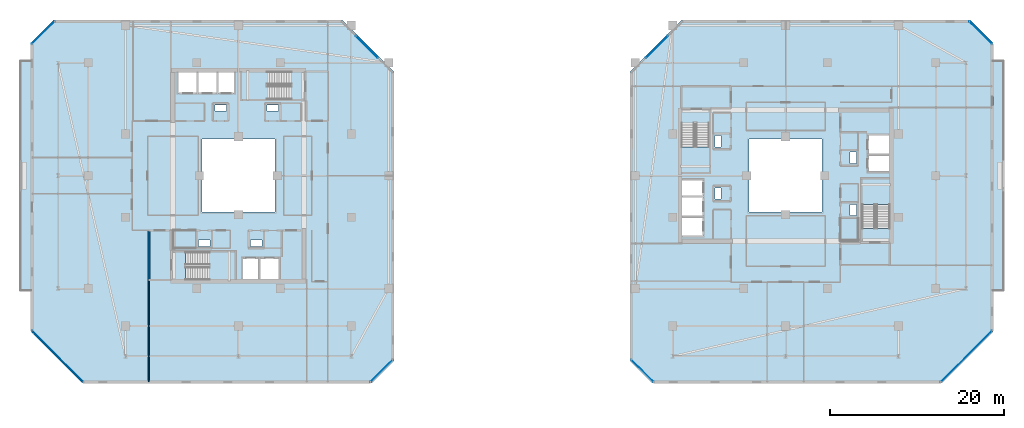
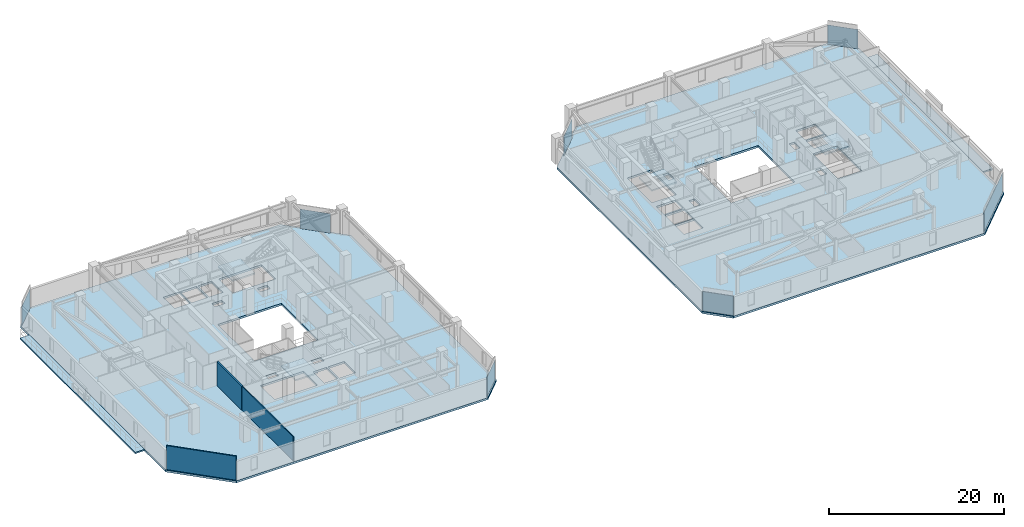
# One storey, part 17 of 31: 8 plates, 8 slabs, 3 walls, 12 elements without a shape of their own.
"""IFC4 building model written with IfcOpenShell, lengths in metres."""

from ifc_helpers import new_model, si_unit, direction, frame, frame_2d, origin, origin_2d, place, context, subcontext, project, spatial, polyline, rectangle, outline, extrude, material, layer, layer_set, type_object, element, aggregate, save


model = new_model("IFC4")

# Units and contexts
model_context = context("Model", 3, precision=1e-05, world=origin(), true_north=direction((0.0, 1.0)))
body_context = subcontext(model_context, "Body", "Model", "MODEL_VIEW")
ifc_project = project(units=[si_unit("LENGTHUNIT", "METRE"), si_unit("AREAUNIT", "SQUARE_METRE"), si_unit("VOLUMEUNIT", "CUBIC_METRE"), si_unit("PLANEANGLEUNIT", "RADIAN"), si_unit("MASSUNIT", "GRAM", prefix="KILO")], contexts=[model_context])

# Site, building, storey
site_placement = place(None, origin())
site = spatial("IfcSite", under=ifc_project, at=site_placement, CompositionType="ELEMENT")
building_placement = place(site_placement, origin())
building = spatial("IfcBuilding", under=site, at=building_placement, Name="Thornwick Lancets Civic Towers", CompositionType="ELEMENT")
storey_placement = place(building_placement, frame((0.0, 0.0, 233.10009765625)))
storey = spatial("IfcBuildingStorey", under=building, at=storey_placement, Name="L62", CompositionType="ELEMENT", Elevation=233.10009765625)

# Curtain wall, plate
ifc_material_1 = material(Name="High-zone chamfered-corner unitised glass curtain wall", Category="glass")
curtain_wall_type = type_object("IfcCurtainWallType", Name="CW_SYS_05", PredefinedType="NOTDEFINED", material=ifc_material_1)
curtain_wall_1_placement = place(storey_placement, origin())
curtain_wall_1 = element("IfcCurtainWall", 1, at=curtain_wall_1_placement, inside=storey, type_object=curtain_wall_type, Name="L62 Curtain Wall CW-L62-A-E1", PredefinedType="NOTDEFINED")
ifc_material_2 = material(Name="Low-e double glazing clear glass", Category="glass")
ifc_layer_1 = layer(ifc_material_2, 0.035888671875, Name="Low-e double glazing clear glass")
ifc_layer_set_1 = layer_set([ifc_layer_1], Name="Low-e double glazing clear glass")
plate_type = type_object("IfcPlateType", Name="CW_PNL_GLASS", PredefinedType="CURTAIN_PANEL", material=ifc_layer_set_1)
plate_1_placement = place(storey_placement, frame((41.972900390625, 4.527099609375, 0.0), z_axis=(0.0, 0.0, 1.0), x_axis=(0.707106781187, 0.707106781187, 0.0)))
plate_1 = element("IfcPlate", 2, at=plate_1_placement, type_object=plate_type, Name="CW-L62-A-E1 Panel 0", PredefinedType="CURTAIN_PANEL", context=body_context, shape_type="SweptSolid", body=[
    extrude(rectangle(XDim=3.649169921875, YDim=0.035888671875, at=origin_2d()), origin(), (0.0, 0.0, 1.0), 2.699951171875),
])
aggregate(curtain_wall_1, [plate_1])

curtain_wall_2_placement = place(storey_placement, origin())
curtain_wall_2 = element("IfcCurtainWall", 3, at=curtain_wall_2_placement, inside=storey, type_object=curtain_wall_type, Name="L62 Curtain Wall CW-L62-A-E3", PredefinedType="NOTDEFINED")
plate_2_placement = place(storey_placement, frame((40.31298828125, 41.81298828125, 0.0), z_axis=(0.0, 0.0, 1.0), x_axis=(-0.707106781187, 0.707106781187, 0.0)))
plate_2 = element("IfcPlate", 4, at=plate_2_placement, type_object=plate_type, Name="CW-L62-A-E3 Panel 0", PredefinedType="CURTAIN_PANEL", context=body_context, shape_type="SweptSolid", body=[
    extrude(rectangle(XDim=3.5771484375, YDim=0.035888671875, at=origin_2d()), origin(), (0.0, 0.0, 1.0), 2.699951171875),
])
aggregate(curtain_wall_2, [plate_2])

curtain_wall_3_placement = place(storey_placement, origin())
curtain_wall_3 = element("IfcCurtainWall", 5, at=curtain_wall_3_placement, inside=storey, type_object=curtain_wall_type, Name="L62 Curtain Wall CW-L62-A-E5", PredefinedType="NOTDEFINED")
plate_3_placement = place(storey_placement, frame((3.027099609375, 43.472900390625, 0.0), z_axis=(0.0, 0.0, 1.0), x_axis=(-0.707106781187, -0.707106781187, 0.0)))
plate_3 = element("IfcPlate", 6, at=plate_3_placement, type_object=plate_type, Name="CW-L62-A-E5 Panel 0", PredefinedType="CURTAIN_PANEL", context=body_context, shape_type="SweptSolid", body=[
    extrude(rectangle(XDim=3.649169921875, YDim=0.035888671875, at=origin_2d()), origin(), (0.0, 0.0, 1.0), 2.699951171875),
])
aggregate(curtain_wall_3, [plate_3])

curtain_wall_4_placement = place(storey_placement, origin())
curtain_wall_4 = element("IfcCurtainWall", 7, at=curtain_wall_4_placement, inside=storey, type_object=curtain_wall_type, Name="L62 Curtain Wall CW-L62-A-E7", PredefinedType="NOTDEFINED")
plate_4_placement = place(storey_placement, frame((4.68701171875, 6.18701171875, 0.0), z_axis=(0.0, 0.0, 1.0), x_axis=(0.707106781187, -0.707106781187, 0.0)))
plate_4 = element("IfcPlate", 8, at=plate_4_placement, type_object=plate_type, Name="CW-L62-A-E7 Panel 0", PredefinedType="CURTAIN_PANEL", context=body_context, shape_type="SweptSolid", body=[
    extrude(rectangle(XDim=8.313720703125, YDim=0.035888671875, at=origin_2d()), origin(), (0.0, 0.0, 1.0), 2.699951171875),
])
aggregate(curtain_wall_4, [plate_4])

curtain_wall_5_placement = place(storey_placement, origin())
curtain_wall_5 = element("IfcCurtainWall", 9, at=curtain_wall_5_placement, inside=storey, type_object=curtain_wall_type, Name="L62 Curtain Wall CW-L62-B-E1", PredefinedType="NOTDEFINED")
plate_5_placement = place(storey_placement, frame((109.31298828125, 6.18701171875, 0.0), z_axis=(0.0, 0.0, 1.0), x_axis=(0.707106781187, 0.707106781187, 0.0)))
plate_5 = element("IfcPlate", 10, at=plate_5_placement, type_object=plate_type, Name="CW-L62-B-E1 Panel 0", PredefinedType="CURTAIN_PANEL", context=body_context, shape_type="SweptSolid", body=[
    extrude(rectangle(XDim=8.313720703125, YDim=0.035888671875, at=origin_2d()), origin(), (0.0, 0.0, 1.0), 2.699951171875),
])
aggregate(curtain_wall_5, [plate_5])

curtain_wall_6_placement = place(storey_placement, origin())
curtain_wall_6 = element("IfcCurtainWall", 11, at=curtain_wall_6_placement, inside=storey, type_object=curtain_wall_type, Name="L62 Curtain Wall CW-L62-B-E3", PredefinedType="NOTDEFINED")
plate_6_placement = place(storey_placement, frame((110.972900390625, 43.472900390625, 0.0), z_axis=(0.0, 0.0, 1.0), x_axis=(-0.707106781187, 0.707106781187, 0.0)))
plate_6 = element("IfcPlate", 12, at=plate_6_placement, type_object=plate_type, Name="CW-L62-B-E3 Panel 0", PredefinedType="CURTAIN_PANEL", context=body_context, shape_type="SweptSolid", body=[
    extrude(rectangle(XDim=3.649169921875, YDim=0.035888671875, at=origin_2d()), origin(), (0.0, 0.0, 1.0), 2.699951171875),
])
aggregate(curtain_wall_6, [plate_6])

curtain_wall_7_placement = place(storey_placement, origin())
curtain_wall_7 = element("IfcCurtainWall", 13, at=curtain_wall_7_placement, inside=storey, type_object=curtain_wall_type, Name="L62 Curtain Wall CW-L62-B-E5", PredefinedType="NOTDEFINED")
plate_7_placement = place(storey_placement, frame((73.68701171875, 41.81298828125, 0.0), z_axis=(0.0, 0.0, 1.0), x_axis=(-0.707106781187, -0.707106781187, 0.0)))
plate_7 = element("IfcPlate", 14, at=plate_7_placement, type_object=plate_type, Name="CW-L62-B-E5 Panel 0", PredefinedType="CURTAIN_PANEL", context=body_context, shape_type="SweptSolid", body=[
    extrude(rectangle(XDim=3.5771484375, YDim=0.035888671875, at=origin_2d()), origin(), (0.0, 0.0, 1.0), 2.699951171875),
])
aggregate(curtain_wall_7, [plate_7])

curtain_wall_8_placement = place(storey_placement, origin())
curtain_wall_8 = element("IfcCurtainWall", 15, at=curtain_wall_8_placement, inside=storey, type_object=curtain_wall_type, Name="L62 Curtain Wall CW-L62-B-E7", PredefinedType="NOTDEFINED")
plate_8_placement = place(storey_placement, frame((72.027099609375, 4.527099609375, 0.0), z_axis=(0.0, 0.0, 1.0), x_axis=(0.707106781187, -0.707106781187, 0.0)))
plate_8 = element("IfcPlate", 16, at=plate_8_placement, type_object=plate_type, Name="CW-L62-B-E7 Panel 0", PredefinedType="CURTAIN_PANEL", context=body_context, shape_type="SweptSolid", body=[
    extrude(rectangle(XDim=3.649169921875, YDim=0.035888671875, at=origin_2d()), origin(), (0.0, 0.0, 1.0), 2.699951171875),
])
aggregate(curtain_wall_8, [plate_8])

# Slabs
ifc_material_3 = material(Name="Post-tensioned concrete C40/50", Category="concrete")
ifc_layer_2 = layer(ifc_material_3, 0.199951171875, Name="Post-tensioned concrete C40/50")
ifc_layer_set_2 = layer_set([ifc_layer_2], Name="Post-tensioned concrete C40/50")
slab_type_1 = type_object("IfcSlabType", Name="SLAB_BALCONY_200", PredefinedType="FLOOR", material=ifc_layer_set_2)
slab_1_placement = place(storey_placement, frame((0.0, 0.0, -0.2001953125)))
element("IfcSlab", 17, at=slab_1_placement, inside=storey, type_object=slab_type_1, Name="L62 Tower A Planted Balcony Slab W", PredefinedType="FLOOR", context=body_context, shape_type="SweptSolid", body=[
    extrude(outline(polyline([(0.35009765625, 13.800048828125), (1.60009765625, 13.800048828125), (1.60009765625, 40.199951171875), (0.35009765625, 40.199951171875), (0.35009765625, 13.800048828125)])), origin(), (0.0, 0.0, 1.0), 0.2001953125),
])
slab_2_placement = place(storey_placement, frame((0.0, 0.0, -0.2001953125)))
element("IfcSlab", 18, at=slab_2_placement, inside=storey, type_object=slab_type_1, Name="L62 Tower B Planted Balcony Slab E", PredefinedType="FLOOR", context=body_context, shape_type="SweptSolid", body=[
    extrude(outline(polyline([(112.39990234375, 13.800048828125), (113.64990234375, 13.800048828125), (113.64990234375, 40.199951171875), (112.39990234375, 40.199951171875), (112.39990234375, 13.800048828125)])), origin(), (0.0, 0.0, 1.0), 0.2001953125),
])

# Stair, slab
ifc_material_4 = material(Name="Concrete C40/50", Category="concrete")
stair_type = type_object("IfcStairType", Name="STAIR_DL_3600", PredefinedType="HALF_TURN_STAIR", material=ifc_material_4)
stair_1_placement = place(storey_placement, origin())
stair_1 = element("IfcStair", 19, at=stair_1_placement, inside=storey, type_object=stair_type, Name="L62 Tower A South Exit Stair ST-A1", PredefinedType="HALF_TURN_STAIR")
ifc_layer_3 = layer(ifc_material_4, 0.25, Name="Concrete C40/50")
ifc_layer_set_3 = layer_set([ifc_layer_3], Name="Concrete C40/50")
slab_type_2 = type_object("IfcSlabType", Name="SLAB_LANDING_200", PredefinedType="LANDING", material=ifc_layer_set_3)
slab_3_placement = place(storey_placement, frame((0.0, 0.0, 1.602783203125)))
slab_3 = element("IfcSlab", 20, at=slab_3_placement, type_object=slab_type_2, Name="ST-A1 landing 1", PredefinedType="LANDING", context=body_context, shape_type="SweptSolid", body=[
    extrude(outline(polyline([(22.169921875, 14.93994140625), (25.14990234375, 14.93994140625), (25.14990234375, 18.260009765625), (22.169921875, 18.260009765625), (22.169921875, 14.93994140625)])), origin(), (0.0, 0.0, 1.0), 0.2001953125),
])
aggregate(stair_1, [slab_3])

stair_2_placement = place(storey_placement, origin())
stair_2 = element("IfcStair", 21, at=stair_2_placement, inside=storey, type_object=stair_type, Name="L62 Tower A North Exit Stair ST-A2", PredefinedType="HALF_TURN_STAIR")
slab_4_placement = place(storey_placement, frame((0.0, 0.0, 1.602783203125)))
slab_4 = element("IfcSlab", 22, at=slab_4_placement, type_object=slab_type_2, Name="ST-A2 landing 1", PredefinedType="LANDING", context=body_context, shape_type="SweptSolid", body=[
    extrude(outline(polyline([(28.830078125, 39.06005859375), (25.85009765625, 39.06005859375), (25.85009765625, 35.739990234375), (28.830078125, 35.739990234375), (28.830078125, 39.06005859375)])), origin(), (0.0, 0.0, 1.0), 0.2001953125),
])
aggregate(stair_2, [slab_4])

stair_3_placement = place(storey_placement, origin())
stair_3 = element("IfcStair", 23, at=stair_3_placement, inside=storey, type_object=stair_type, Name="L62 Tower B East Exit Stair ST-B1", PredefinedType="HALF_TURN_STAIR")
slab_5_placement = place(storey_placement, frame((0.0, 0.0, 1.602783203125)))
slab_5 = element("IfcSlab", 24, at=slab_5_placement, type_object=slab_type_2, Name="ST-B1 landing 1", PredefinedType="LANDING", context=body_context, shape_type="SweptSolid", body=[
    extrude(outline(polyline([(100.56005859375, 23.669921875), (100.56005859375, 26.64990234375), (97.239990234375, 26.64990234375), (97.239990234375, 23.669921875), (100.56005859375, 23.669921875)])), origin(), (0.0, 0.0, 1.0), 0.2001953125),
])
aggregate(stair_3, [slab_5])

stair_4_placement = place(storey_placement, origin())
stair_4 = element("IfcStair", 25, at=stair_4_placement, inside=storey, type_object=stair_type, Name="L62 Tower B West Exit Stair ST-B2", PredefinedType="HALF_TURN_STAIR")
slab_6_placement = place(storey_placement, frame((0.0, 0.0, 1.602783203125)))
slab_6 = element("IfcSlab", 26, at=slab_6_placement, type_object=slab_type_2, Name="ST-B2 landing 1", PredefinedType="LANDING", context=body_context, shape_type="SweptSolid", body=[
    extrude(outline(polyline([(76.43994140625, 30.330078125), (76.43994140625, 27.35009765625), (79.760009765625, 27.35009765625), (79.760009765625, 30.330078125), (76.43994140625, 30.330078125)])), origin(), (0.0, 0.0, 1.0), 0.2001953125),
])
aggregate(stair_4, [slab_6])

# Slabs
ifc_layer_4 = layer(ifc_material_3, 0.280029296875, Name="Post-tensioned concrete C40/50")
ifc_layer_set_4 = layer_set([ifc_layer_4], Name="Post-tensioned concrete C40/50")
slab_type_3 = type_object("IfcSlabType", Name="SLAB_PT_280", PredefinedType="FLOOR", material=ifc_layer_set_4)
slab_7_placement = place(storey_placement, frame((0.0, 0.0, -0.280029296875)))
element("IfcSlab", 27, at=slab_7_placement, inside=storey, type_object=slab_type_3, Name="L62 Tower A Floor Slab", PredefinedType="FLOOR", context=body_context, shape_type="SweptSolid", body=[
    extrude(outline(polyline([(7.52294921875, 3.10009765625), (40.800048828125, 3.10009765625), (43.39990234375, 5.699951171875), (43.39990234375, 38.97705078125), (37.47705078125, 44.89990234375), (4.199951171875, 44.89990234375), (1.60009765625, 42.300048828125), (1.60009765625, 9.02294921875), (7.52294921875, 3.10009765625)]), holes=[polyline([(21.300048828125, 22.800048828125), (29.699951171875, 22.800048828125), (29.699951171875, 31.199951171875), (21.300048828125, 31.199951171875), (21.300048828125, 22.800048828125)]), polyline([(19.429931640625, 15.0), (25.10009765625, 15.0), (25.10009765625, 18.199951171875), (19.429931640625, 18.199951171875), (19.429931640625, 15.0)]), polyline([(31.570068359375, 39.0), (25.89990234375, 39.0), (25.89990234375, 35.800048828125), (31.570068359375, 35.800048828125), (31.570068359375, 39.0)]), polyline([(26.0, 15.0), (27.800048828125, 15.0), (27.800048828125, 17.550048828125), (26.0, 17.550048828125), (26.0, 15.0)]), polyline([(28.0, 15.0), (30.14990234375, 15.0), (30.14990234375, 17.550048828125), (28.0, 17.550048828125), (28.0, 15.0)]), polyline([(23.199951171875, 36.449951171875), (25.0, 36.449951171875), (25.0, 39.0), (23.199951171875, 39.0), (23.199951171875, 36.449951171875)]), polyline([(20.85009765625, 36.449951171875), (23.0, 36.449951171875), (23.0, 39.0), (20.85009765625, 39.0), (20.85009765625, 36.449951171875)]), polyline([(18.60009765625, 36.449951171875), (20.699951171875, 36.449951171875), (20.699951171875, 39.0), (18.60009765625, 39.0), (18.60009765625, 36.449951171875)]), polyline([(26.89990234375, 18.85009765625), (28.199951171875, 18.85009765625), (28.199951171875, 19.580078125), (26.89990234375, 19.580078125), (26.89990234375, 18.85009765625)]), polyline([(20.89990234375, 18.85009765625), (22.199951171875, 18.85009765625), (22.199951171875, 19.580078125), (20.89990234375, 19.580078125), (20.89990234375, 18.85009765625)]), polyline([(22.800048828125, 34.419921875), (24.10009765625, 34.419921875), (24.10009765625, 35.14990234375), (22.800048828125, 35.14990234375), (22.800048828125, 34.419921875)]), polyline([(28.800048828125, 34.419921875), (30.10009765625, 34.419921875), (30.10009765625, 35.14990234375), (28.800048828125, 35.14990234375), (28.800048828125, 34.419921875)])]), origin(), (0.0, 0.0, 1.0), 0.280029296875),
])
slab_8_placement = place(storey_placement, frame((0.0, 0.0, -0.280029296875)))
element("IfcSlab", 28, at=slab_8_placement, inside=storey, type_object=slab_type_3, Name="L62 Tower B Floor Slab", PredefinedType="FLOOR", context=body_context, shape_type="SweptSolid", body=[
    extrude(outline(polyline([(73.199951171875, 3.10009765625), (106.47705078125, 3.10009765625), (112.39990234375, 9.02294921875), (112.39990234375, 42.300048828125), (109.800048828125, 44.89990234375), (76.52294921875, 44.89990234375), (70.60009765625, 38.97705078125), (70.60009765625, 5.699951171875), (73.199951171875, 3.10009765625)]), holes=[polyline([(84.300048828125, 22.800048828125), (92.699951171875, 22.800048828125), (92.699951171875, 31.199951171875), (84.300048828125, 31.199951171875), (84.300048828125, 22.800048828125)]), polyline([(100.5, 20.929931640625), (100.5, 26.60009765625), (97.300048828125, 26.60009765625), (97.300048828125, 20.929931640625), (100.5, 20.929931640625)]), polyline([(76.5, 33.070068359375), (76.5, 27.39990234375), (79.699951171875, 27.39990234375), (79.699951171875, 33.070068359375), (76.5, 33.070068359375)]), polyline([(97.949951171875, 27.5), (100.5, 27.5), (100.5, 29.300048828125), (97.949951171875, 29.300048828125), (97.949951171875, 27.5)]), polyline([(97.949951171875, 29.5), (100.5, 29.5), (100.5, 31.64990234375), (97.949951171875, 31.64990234375), (97.949951171875, 29.5)]), polyline([(76.5, 24.699951171875), (79.050048828125, 24.699951171875), (79.050048828125, 26.5), (76.5, 26.5), (76.5, 24.699951171875)]), polyline([(76.5, 22.35009765625), (79.050048828125, 22.35009765625), (79.050048828125, 24.5), (76.5, 24.5), (76.5, 22.35009765625)]), polyline([(76.5, 20.10009765625), (79.050048828125, 20.10009765625), (79.050048828125, 22.199951171875), (76.5, 22.199951171875), (76.5, 20.10009765625)]), polyline([(95.919921875, 28.39990234375), (96.64990234375, 28.39990234375), (96.64990234375, 29.699951171875), (95.919921875, 29.699951171875), (95.919921875, 28.39990234375)]), polyline([(95.919921875, 22.39990234375), (96.64990234375, 22.39990234375), (96.64990234375, 23.699951171875), (95.919921875, 23.699951171875), (95.919921875, 22.39990234375)]), polyline([(80.35009765625, 24.300048828125), (81.080078125, 24.300048828125), (81.080078125, 25.60009765625), (80.35009765625, 25.60009765625), (80.35009765625, 24.300048828125)]), polyline([(80.35009765625, 30.300048828125), (81.080078125, 30.300048828125), (81.080078125, 31.60009765625), (80.35009765625, 31.60009765625), (80.35009765625, 30.300048828125)])]), origin(), (0.0, 0.0, 1.0), 0.280029296875),
])

# Walls
ifc_material_5 = material(Name="Concrete blockwork C40/50", Category="masonry")
ifc_layer_5 = layer(ifc_material_5, 0.199951171875, Name="Concrete blockwork C40/50")
ifc_layer_set_5 = layer_set([ifc_layer_5], Name="Concrete blockwork C40/50")
wall_type_1 = type_object("IfcWallType", Name="WALL_COMP_200", PredefinedType="STANDARD", material=ifc_layer_set_5)
wall_1_placement = place(storey_placement, frame((15.199951171875, 20.699951171875, 0.0), z_axis=(0.0, 0.0, 1.0), x_axis=(0.0, -1.0, 0.0)))
element("IfcWall", 29, at=wall_1_placement, inside=storey, type_object=wall_type_1, Name="L62 Partition L62-A-FFLOB1 E4", PredefinedType="STANDARD", context=body_context, shape_type="SweptSolid", body=[
    extrude(rectangle(XDim=5.699951171875, YDim=0.199951171875, at=frame_2d((2.85009765625, 0.0))), origin(), (0.0, 0.0, 1.0), 3.33984375),
])
ifc_material_6 = material(Name="Acoustic gypsum board partition")
ifc_layer_6 = layer(ifc_material_6, 0.1201171875, Name="Acoustic gypsum board partition")
ifc_layer_set_6 = layer_set([ifc_layer_6], Name="Acoustic gypsum board partition")
wall_type_2 = type_object("IfcWallType", Name="WALL_PART_120", PredefinedType="PARTITIONING", material=ifc_layer_set_6)
wall_2_placement = place(storey_placement, frame((15.199951171875, 15.0, 0.0), z_axis=(0.0, 0.0, 1.0), x_axis=(0.0, -1.0, 0.0)))
element("IfcWall", 30, at=wall_2_placement, inside=storey, type_object=wall_type_2, Name="L62 Partition L62-A-W1 E4", PredefinedType="PARTITIONING", context=body_context, shape_type="SweptSolid", body=[
    extrude(rectangle(XDim=11.719970703125, YDim=0.1201171875, at=frame_2d((5.85986328125, 0.0))), origin(), (0.0, 0.0, 1.0), 3.33984375),
])
wall_3_placement = place(storey_placement, frame((7.59765625, 3.280029296875, 0.0), z_axis=(0.0, 0.0, 1.0), x_axis=(-0.707106781187, 0.707106781187, 0.0)))
element("IfcWall", 31, at=wall_3_placement, inside=storey, type_object=wall_type_2, Name="L62 Partition L62-A-W1 E6", PredefinedType="PARTITIONING", context=body_context, shape_type="SweptSolid", body=[
    extrude(rectangle(XDim=8.227294921875, YDim=0.1201171875, at=frame_2d((4.11376953125, 0.0))), origin(), (0.0, 0.0, 1.0), 3.33984375),
])

save(model, "model.ifc")
